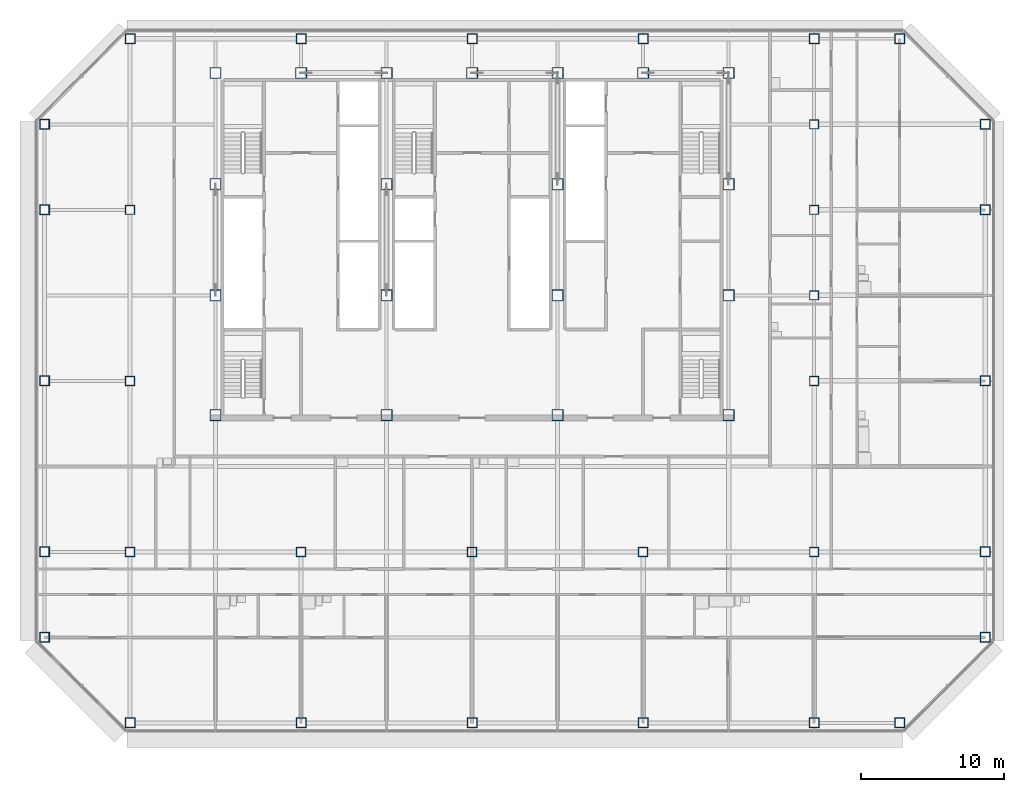
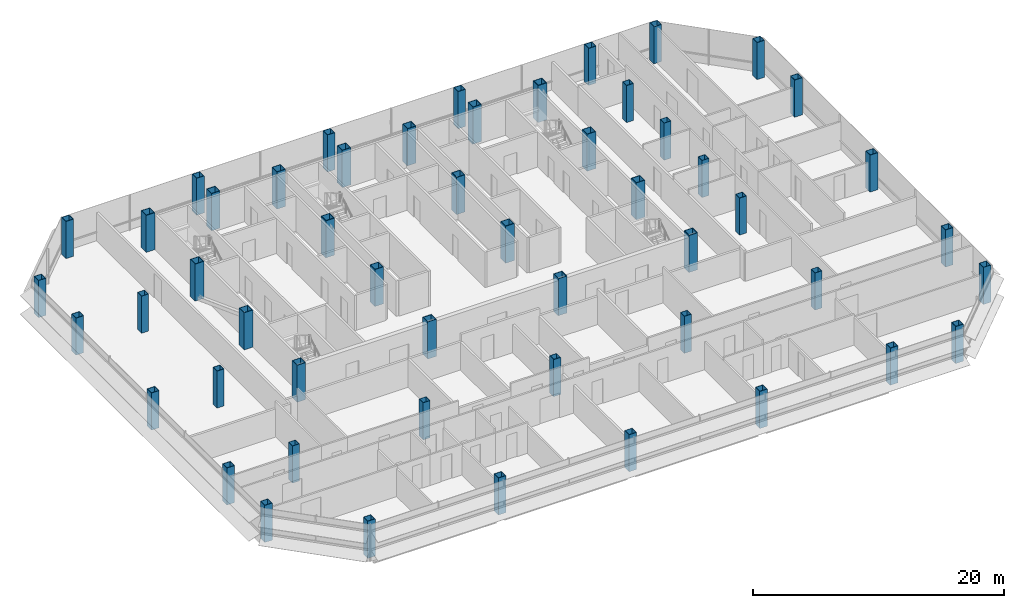
# One storey, part 1 of 26: 52 columns.
"""IFC4 building model written with IfcOpenShell, lengths in metres."""

from ifc_helpers import new_model, si_unit, direction, frame, origin, origin_2d, place, context, subcontext, project, spatial, hollow_rectangle, extrude, material, material_profile, profile_set, type_object, element, save


model = new_model("IFC4")

# Units and contexts
model_context = context("Model", 3, precision=1e-05, world=origin(), true_north=direction((0.0, 1.0)))
body_context = subcontext(model_context, "Body", "Model", "MODEL_VIEW")
ifc_project = project(units=[si_unit("LENGTHUNIT", "METRE"), si_unit("AREAUNIT", "SQUARE_METRE"), si_unit("VOLUMEUNIT", "CUBIC_METRE"), si_unit("PLANEANGLEUNIT", "RADIAN"), si_unit("MASSUNIT", "GRAM", prefix="KILO")], contexts=[model_context])

# Site, building, storey
site_placement = place(None, origin())
site = spatial("IfcSite", under=ifc_project, at=site_placement, CompositionType="ELEMENT")
building_placement = place(site_placement, origin())
building = spatial("IfcBuilding", under=site, at=building_placement, Name="Sorahane Residences", CompositionType="ELEMENT")
storey_placement = place(building_placement, frame((0.0, 0.0, 154.60009765625)))
storey = spatial("IfcBuildingStorey", under=building, at=storey_placement, Name="L35", CompositionType="ELEMENT", Elevation=154.60009765625)

# Columns
ifc_material_1 = material(Name="Steel Q355B", Category="steel")
ifc_material_profile_1 = material_profile(ifc_material_1, hollow_rectangle(XDim=0.64990234375, YDim=0.64990234375, WallThickness=0.031982421875, at=origin_2d()), Name="BOX 650x650x32")
ifc_profile_set_1 = profile_set([ifc_material_profile_1], Name="Steel Q355B")
column_type_1 = type_object("IfcColumnType", Name="Steel box column BOX 650x650x32 Q355B", PredefinedType="COLUMN", material=ifc_profile_set_1)
for number, where, z_axis, x_axis, name in (
    (1, (0.0, 12.0, 0.0), (0.0, 0.0, 1.0), (1.0, 0.0, 0.0), "Column L35 0/12"),
    (2, (0.0, 24.0, 0.0), (0.0, 0.0, 1.0), (1.0, 0.0, 0.0), "Column L35 0/24"),
    (3, (0.0, 36.0, 0.0), (0.0, 0.0, 1.0), (1.0, 0.0, 0.0), "Column L35 0/36"),
    (4, (12.0, 12.0, 0.0), (0.0, 0.0, 1.0), (1.0, 0.0, 0.0), "Column L35 12/12"),
    (5, (24.0, 12.0, 0.0), (0.0, 0.0, 1.0), (1.0, 0.0, 0.0), "Column L35 24/12"),
    (6, (36.0, 12.0, 0.0), (0.0, 0.0, 1.0), (1.0, 0.0, 0.0), "Column L35 36/12"),
    (7, (48.0, 12.0, 0.0), (0.0, 0.0, 1.0), (1.0, 0.0, 0.0), "Column L35 48/12"),
    (8, (48.0, 24.0, 0.0), (0.0, 0.0, 1.0), (1.0, 0.0, 0.0), "Column L35 48/24"),
    (9, (48.0, 30.0, 0.0), (0.0, 0.0, 1.0), (1.0, 0.0, 0.0), "Column L35 48/30"),
    (10, (48.0, 36.0, 0.0), (0.0, 0.0, 1.0), (1.0, 0.0, 0.0), "Column L35 48/36"),
    (11, (48.0, 42.0, 0.0), (0.0, 0.0, 1.0), (1.0, 0.0, 0.0), "Column L35 48/42"),
):
    element("IfcColumn", number, at=place(storey_placement, frame(where, z_axis=z_axis, x_axis=x_axis)), inside=storey, type_object=column_type_1, Name=name, PredefinedType="COLUMN", context=body_context, shape_type="SweptSolid", body=[
        extrude(hollow_rectangle(XDim=0.64990234375, YDim=0.64990234375, WallThickness=0.031982421875, at=origin_2d()), origin(), (0.0, 0.0, 1.0), 3.599853515625),
    ])
ifc_material_2 = material(Name="Steel Q355B", Category="steel")
ifc_material_profile_2 = material_profile(ifc_material_2, hollow_rectangle(XDim=0.699951171875, YDim=0.699951171875, WallThickness=0.035888671875, at=origin_2d()), Name="BOX 700x700x36")
ifc_profile_set_2 = profile_set([ifc_material_profile_2], Name="Steel Q355B")
column_type_2 = type_object("IfcColumnType", Name="Steel box column BOX 700x700x36 Q355B", PredefinedType="COLUMN", material=ifc_profile_set_2)
for number, where, z_axis, x_axis, name in (
    (12, (-6.0, 6.0, 0.0), (0.0, 0.0, 1.0), (1.0, 0.0, 0.0), "Column L35 m6/6"),
    (13, (-6.0, 12.0, 0.0), (0.0, 0.0, 1.0), (1.0, 0.0, 0.0), "Column L35 m6/12"),
    (14, (-6.0, 24.0, 0.0), (0.0, 0.0, 1.0), (1.0, 0.0, 0.0), "Column L35 m6/24"),
    (15, (-6.0, 36.0, 0.0), (0.0, 0.0, 1.0), (1.0, 0.0, 0.0), "Column L35 m6/36"),
    (16, (-6.0, 42.0, 0.0), (0.0, 0.0, 1.0), (1.0, 0.0, 0.0), "Column L35 m6/42"),
    (17, (0.0, 0.0, 0.0), (0.0, 0.0, 1.0), (1.0, 0.0, 0.0), "Column L35 0/0"),
    (18, (0.0, 48.0, 0.0), (0.0, 0.0, 1.0), (1.0, 0.0, 0.0), "Column L35 0/48"),
    (19, (12.0, 0.0, 0.0), (0.0, 0.0, 1.0), (1.0, 0.0, 0.0), "Column L35 12/0"),
    (20, (12.0, 48.0, 0.0), (0.0, 0.0, 1.0), (1.0, 0.0, 0.0), "Column L35 12/48"),
    (21, (24.0, 0.0, 0.0), (0.0, 0.0, 1.0), (1.0, 0.0, 0.0), "Column L35 24/0"),
    (22, (24.0, 48.0, 0.0), (0.0, 0.0, 1.0), (1.0, 0.0, 0.0), "Column L35 24/48"),
    (23, (36.0, 0.0, 0.0), (0.0, 0.0, 1.0), (1.0, 0.0, 0.0), "Column L35 36/0"),
    (24, (36.0, 48.0, 0.0), (0.0, 0.0, 1.0), (1.0, 0.0, 0.0), "Column L35 36/48"),
    (25, (48.0, 0.0, 0.0), (0.0, 0.0, 1.0), (1.0, 0.0, 0.0), "Column L35 48/0"),
    (26, (48.0, 48.0, 0.0), (0.0, 0.0, 1.0), (1.0, 0.0, 0.0), "Column L35 48/48"),
    (27, (54.0, 0.0, 0.0), (0.0, 0.0, 1.0), (1.0, 0.0, 0.0), "Column L35 54/0"),
    (28, (54.0, 48.0, 0.0), (0.0, 0.0, 1.0), (1.0, 0.0, 0.0), "Column L35 54/48"),
    (29, (60.0, 6.0, 0.0), (0.0, 0.0, 1.0), (1.0, 0.0, 0.0), "Column L35 60/6"),
    (30, (60.0, 12.0, 0.0), (0.0, 0.0, 1.0), (1.0, 0.0, 0.0), "Column L35 60/12"),
    (31, (60.0, 24.0, 0.0), (0.0, 0.0, 1.0), (1.0, 0.0, 0.0), "Column L35 60/24"),
    (32, (60.0, 36.0, 0.0), (0.0, 0.0, 1.0), (1.0, 0.0, 0.0), "Column L35 60/36"),
    (33, (60.0, 42.0, 0.0), (0.0, 0.0, 1.0), (1.0, 0.0, 0.0), "Column L35 60/42"),
):
    element("IfcColumn", number, at=place(storey_placement, frame(where, z_axis=z_axis, x_axis=x_axis)), inside=storey, type_object=column_type_2, Name=name, PredefinedType="COLUMN", context=body_context, shape_type="SweptSolid", body=[
        extrude(hollow_rectangle(XDim=0.699951171875, YDim=0.699951171875, WallThickness=0.035888671875, at=origin_2d()), origin(), (0.0, 0.0, 1.0), 3.599853515625),
    ])
ifc_material_3 = material(Name="Steel Q420GJ", Category="steel")
ifc_material_profile_3 = material_profile(ifc_material_3, hollow_rectangle(XDim=0.800048828125, YDim=0.800048828125, WallThickness=0.044921875, at=origin_2d()), Name="BOX 800x800x45")
ifc_profile_set_3 = profile_set([ifc_material_profile_3], Name="Steel Q420GJ")
column_type_3 = type_object("IfcColumnType", Name="Steel box column BOX 800x800x45 Q420GJ", PredefinedType="COLUMN", material=ifc_profile_set_3)
for number, where, z_axis, x_axis, name in (
    (34, (6.0, 21.60009765625, 0.0), (0.0, 0.0, 1.0), (1.0, 0.0, 0.0), "Column L35 6/21.6"),
    (35, (6.0, 30.0, 0.0), (0.0, 0.0, 1.0), (1.0, 0.0, 0.0), "Column L35 6/30"),
    (36, (6.0, 37.800048828125, 0.0), (0.0, 0.0, 1.0), (1.0, 0.0, 0.0), "Column L35 6/37.8"),
    (37, (6.0, 45.60009765625, 0.0), (0.0, 0.0, 1.0), (1.0, 0.0, 0.0), "Column L35 6/45.6"),
    (38, (12.0, 45.60009765625, 0.0), (0.0, 0.0, 1.0), (1.0, 0.0, 0.0), "Column L35 12/45.6"),
    (39, (18.0, 21.60009765625, 0.0), (0.0, 0.0, 1.0), (1.0, 0.0, 0.0), "Column L35 18/21.6"),
    (40, (18.0, 30.0, 0.0), (0.0, 0.0, 1.0), (1.0, 0.0, 0.0), "Column L35 18/30"),
    (41, (18.0, 37.800048828125, 0.0), (0.0, 0.0, 1.0), (1.0, 0.0, 0.0), "Column L35 18/37.8"),
    (42, (18.0, 45.60009765625, 0.0), (0.0, 0.0, 1.0), (1.0, 0.0, 0.0), "Column L35 18/45.6"),
    (43, (24.0, 45.60009765625, 0.0), (0.0, 0.0, 1.0), (1.0, 0.0, 0.0), "Column L35 24/45.6"),
    (44, (30.0, 21.60009765625, 0.0), (0.0, 0.0, 1.0), (1.0, 0.0, 0.0), "Column L35 30/21.6"),
    (45, (30.0, 30.0, 0.0), (0.0, 0.0, 1.0), (1.0, 0.0, 0.0), "Column L35 30/30"),
    (46, (30.0, 37.800048828125, 0.0), (0.0, 0.0, 1.0), (1.0, 0.0, 0.0), "Column L35 30/37.8"),
    (47, (30.0, 45.60009765625, 0.0), (0.0, 0.0, 1.0), (1.0, 0.0, 0.0), "Column L35 30/45.6"),
    (48, (36.0, 45.60009765625, 0.0), (0.0, 0.0, 1.0), (1.0, 0.0, 0.0), "Column L35 36/45.6"),
    (49, (42.0, 21.60009765625, 0.0), (0.0, 0.0, 1.0), (1.0, 0.0, 0.0), "Column L35 42/21.6"),
    (50, (42.0, 30.0, 0.0), (0.0, 0.0, 1.0), (1.0, 0.0, 0.0), "Column L35 42/30"),
    (51, (42.0, 37.800048828125, 0.0), (0.0, 0.0, 1.0), (1.0, 0.0, 0.0), "Column L35 42/37.8"),
    (52, (42.0, 45.60009765625, 0.0), (0.0, 0.0, 1.0), (1.0, 0.0, 0.0), "Column L35 42/45.6"),
):
    element("IfcColumn", number, at=place(storey_placement, frame(where, z_axis=z_axis, x_axis=x_axis)), inside=storey, type_object=column_type_3, Name=name, PredefinedType="COLUMN", context=body_context, shape_type="SweptSolid", body=[
        extrude(hollow_rectangle(XDim=0.800048828125, YDim=0.800048828125, WallThickness=0.044921875, at=origin_2d()), origin(), (0.0, 0.0, 1.0), 3.599853515625),
    ])

save(model, "model.ifc")
